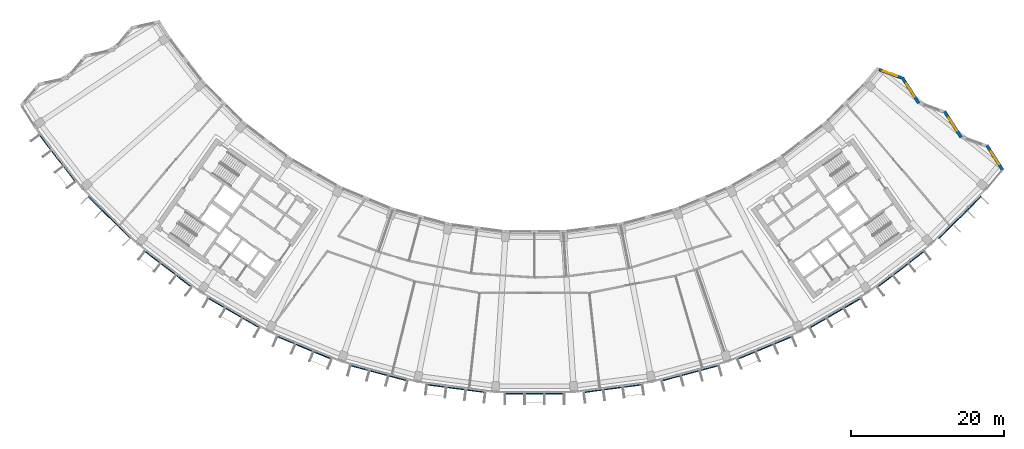
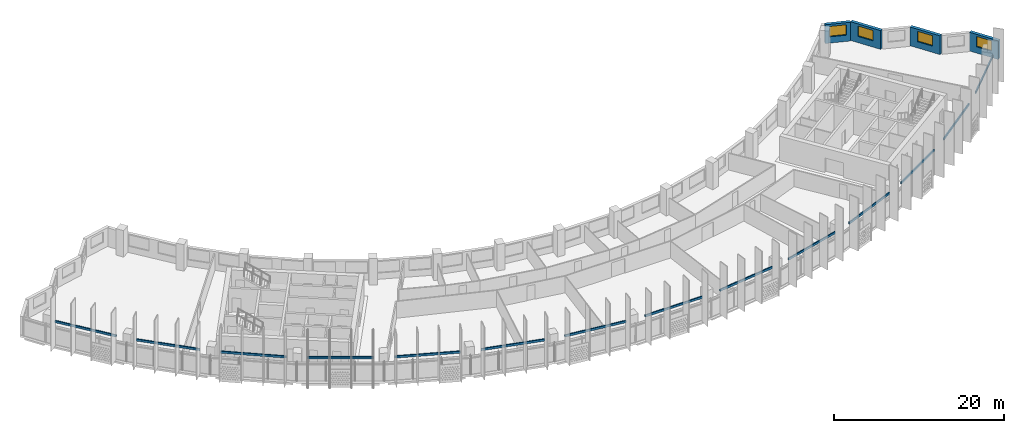
# One storey, part 8 of 28: 14 discrete accessories, 4 walls, 4 windows, 4 openings.
"""IFC4 building model written with IfcOpenShell, lengths in metres."""

from ifc_helpers import new_model, si_unit, direction, frame, frame_2d, origin, origin_2d, place, context, subcontext, project, spatial, rectangle, extrude, material, layer, layer_set, type_object, element, fill, save


model = new_model("IFC4")

# Units and contexts
model_context = context("Model", 3, precision=1e-05, world=origin(), true_north=direction((0.0, 1.0)))
body_context = subcontext(model_context, "Body", "Model", "MODEL_VIEW")
ifc_project = project(units=[si_unit("LENGTHUNIT", "METRE"), si_unit("AREAUNIT", "SQUARE_METRE"), si_unit("VOLUMEUNIT", "CUBIC_METRE"), si_unit("PLANEANGLEUNIT", "RADIAN"), si_unit("MASSUNIT", "GRAM", prefix="KILO")], contexts=[model_context])

# Site, building, storey
site_placement = place(None, origin())
site = spatial("IfcSite", under=ifc_project, at=site_placement, CompositionType="ELEMENT")
building_placement = place(site_placement, origin())
building = spatial("IfcBuilding", under=site, at=building_placement, Name="Qamariyya Broadcast Tower", CompositionType="ELEMENT")
storey_placement = place(building_placement, frame((0.0, 0.0, 241.699951171875)))
storey = spatial("IfcBuildingStorey", under=building, at=storey_placement, Name="L58", CompositionType="ELEMENT", Elevation=241.699951171875)

# Wall, opening, window
ifc_material_1 = material(Name="Terracotta", Category="masonry")
ifc_layer = layer(ifc_material_1, 0.39990234375)
ifc_layer_set = layer_set([ifc_layer], Name="Terracotta clad wall 400")
wall_type = type_object("IfcWallType", Name="Terracotta clad wall 400", PredefinedType="SOLIDWALL", material=ifc_layer_set)
wall_1_placement = place(storey_placement, frame((61.138427734375, -49.375244140625, 0.0), z_axis=(0.0, 0.0, 1.0), x_axis=(-0.538562491946, 0.842585569701, 0.0)))
wall_1 = element("IfcWall", 1, at=wall_1_placement, inside=storey, type_object=wall_type, Name="e-wl-L58-capE0", PredefinedType="SOLIDWALL", context=body_context, shape_type="SweptSolid", body=[
    extrude(rectangle(XDim=3.808837890625, YDim=0.39990234375, at=frame_2d((1.904296875, 0.0))), origin(), (0.0, 0.0, 1.0), 2.699951171875),
])
opening_1_placement = place(wall_1_placement, frame((0.904296875, 0.0, 0.89990234375)))
opening_1 = element("IfcOpeningElement", 2, at=opening_1_placement, cuts=wall_1, Name="Opening W4", PredefinedType="OPENING", context=body_context, shape_type="SweptSolid", body=[
    extrude(rectangle(XDim=2.0, YDim=1.5, at=frame_2d((1.0, 0.75))), frame((0.0, 0.2099609375, 0.0), z_axis=(0.0, -1.0, 0.0), x_axis=(1.0, 0.0, 0.0)), (0.0, 0.0, 1.0), 0.419921875),
])
ifc_material_2 = material(Name="Clear low-e double glazed unit in aluminium frame", Category="aluminium")
window_type = type_object("IfcWindowType", Name="Horn bay window 2000 x 1500", PartitioningType="SINGLE_PANEL", PredefinedType="WINDOW", material=ifc_material_2)
window_1_placement = place(opening_1_placement, origin())
window_1 = element("IfcWindow", 3, at=window_1_placement, inside=storey, type_object=window_type, Name="e-w-L58-capE0", OverallHeight=1.5, OverallWidth=2.0, PartitioningType="SINGLE_PANEL", PredefinedType="WINDOW", context=body_context, shape_type="SweptSolid", body=[
    extrude(rectangle(XDim=2.0, YDim=1.5, at=frame_2d((1.0, 0.75))), frame((0.0, 0.030029296875, 0.0), z_axis=(0.0, -1.0, 0.0), x_axis=(1.0, 0.0, 0.0)), (0.0, 0.0, 1.0), 0.06005859375),
])
fill(opening_1, window_1)

wall_2_placement = place(storey_placement, frame((55.705078125, -45.085693359375, 0.0), z_axis=(0.0, 0.0, 1.0), x_axis=(-0.53862900779, 0.842543050512, 0.0)))
wall_2 = element("IfcWall", 4, at=wall_2_placement, inside=storey, type_object=wall_type, Name="e-wl-L58-capE2", PredefinedType="SOLIDWALL", context=body_context, shape_type="SweptSolid", body=[
    extrude(rectangle(XDim=3.997314453125, YDim=0.39990234375, at=frame_2d((1.99853515625, 0.0))), origin(), (0.0, 0.0, 1.0), 2.699951171875),
])
opening_2_placement = place(wall_2_placement, frame((0.998779296875, 0.0, 0.89990234375)))
opening_2 = element("IfcOpeningElement", 5, at=opening_2_placement, cuts=wall_2, Name="Opening W4", PredefinedType="OPENING", context=body_context, shape_type="SweptSolid", body=[
    extrude(rectangle(XDim=2.0, YDim=1.5, at=frame_2d((1.0, 0.75))), frame((0.0, 0.2099609375, 0.0), z_axis=(0.0, -1.0, 0.0), x_axis=(1.0, 0.0, 0.0)), (0.0, 0.0, 1.0), 0.419921875),
])
window_2_placement = place(opening_2_placement, origin())
window_2 = element("IfcWindow", 6, at=window_2_placement, inside=storey, type_object=window_type, Name="e-w-L58-capE2", OverallHeight=1.5, OverallWidth=2.0, PartitioningType="SINGLE_PANEL", PredefinedType="WINDOW", context=body_context, shape_type="SweptSolid", body=[
    extrude(rectangle(XDim=2.0, YDim=1.5, at=frame_2d((1.0, 0.75))), frame((0.0, 0.030029296875, 0.0), z_axis=(0.0, -1.0, 0.0), x_axis=(1.0, 0.0, 0.0)), (0.0, 0.0, 1.0), 0.06005859375),
])
fill(opening_2, window_2)

wall_3_placement = place(storey_placement, frame((50.170654296875, -40.63818359375, 0.0), z_axis=(0.0, 0.0, 1.0), x_axis=(-0.538719252893, 0.842485350948, 0.0)))
wall_3 = element("IfcWall", 7, at=wall_3_placement, inside=storey, type_object=wall_type, Name="e-wl-L58-capE4", PredefinedType="SOLIDWALL", context=body_context, shape_type="SweptSolid", body=[
    extrude(rectangle(XDim=3.99853515625, YDim=0.39990234375, at=frame_2d((1.999267578125, 0.0))), origin(), (0.0, 0.0, 1.0), 2.699951171875),
])
opening_3_placement = place(wall_3_placement, frame((0.999267578125, 0.0, 0.89990234375)))
opening_3 = element("IfcOpeningElement", 8, at=opening_3_placement, cuts=wall_3, Name="Opening W4", PredefinedType="OPENING", context=body_context, shape_type="SweptSolid", body=[
    extrude(rectangle(XDim=2.0, YDim=1.5, at=frame_2d((1.0, 0.75))), frame((0.0, 0.2099609375, 0.0), z_axis=(0.0, -1.0, 0.0), x_axis=(1.0, 0.0, 0.0)), (0.0, 0.0, 1.0), 0.419921875),
])
window_3_placement = place(opening_3_placement, origin())
window_3 = element("IfcWindow", 9, at=window_3_placement, inside=storey, type_object=window_type, Name="e-w-L58-capE4", OverallHeight=1.5, OverallWidth=2.0, PartitioningType="SINGLE_PANEL", PredefinedType="WINDOW", context=body_context, shape_type="SweptSolid", body=[
    extrude(rectangle(XDim=2.0, YDim=1.5, at=frame_2d((1.0, 0.75))), frame((0.0, 0.030029296875, 0.0), z_axis=(0.0, -1.0, 0.0), x_axis=(1.0, 0.0, 0.0)), (0.0, 0.0, 1.0), 0.06005859375),
])
fill(opening_3, window_3)

wall_4_placement = place(storey_placement, frame((47.8779296875, -37.29638671875, 0.0), z_axis=(0.0, 0.0, 1.0), x_axis=(-0.939380563931, 0.342876298552, 0.0)))
wall_4 = element("IfcWall", 10, at=wall_4_placement, inside=storey, type_object=wall_type, Name="e-wl-L58-capE5", PredefinedType="SOLIDWALL", context=body_context, shape_type="SweptSolid", body=[
    extrude(rectangle(XDim=3.06103515625, YDim=0.39990234375, at=frame_2d((1.530517578125, 0.0))), origin(), (0.0, 0.0, 1.0), 2.699951171875),
])
opening_4_placement = place(wall_4_placement, frame((0.530517578125, 0.0, 0.89990234375)))
opening_4 = element("IfcOpeningElement", 11, at=opening_4_placement, cuts=wall_4, Name="Opening W4", PredefinedType="OPENING", context=body_context, shape_type="SweptSolid", body=[
    extrude(rectangle(XDim=2.0, YDim=1.5, at=frame_2d((1.0, 0.75))), frame((0.0, 0.2099609375, 0.0), z_axis=(0.0, -1.0, 0.0), x_axis=(1.0, 0.0, 0.0)), (0.0, 0.0, 1.0), 0.419921875),
])
window_4_placement = place(opening_4_placement, origin())
window_4 = element("IfcWindow", 12, at=window_4_placement, inside=storey, type_object=window_type, Name="e-w-L58-capE5", OverallHeight=1.5, OverallWidth=2.0, PartitioningType="SINGLE_PANEL", PredefinedType="WINDOW", context=body_context, shape_type="SweptSolid", body=[
    extrude(rectangle(XDim=2.0, YDim=1.5, at=frame_2d((1.0, 0.75))), frame((0.0, 0.030029296875, 0.0), z_axis=(0.0, -1.0, 0.0), x_axis=(1.0, 0.0, 0.0)), (0.0, 0.0, 1.0), 0.06005859375),
])
fill(opening_4, window_4)

# Discrete accessories
ifc_material_3 = material(Name="Stainless steel 316", Category="steel")
discrete_accessory_type = type_object("IfcDiscreteAccessoryType", Name="Slab edge fixing angle, stainless steel", PredefinedType="BRACKET", material=ifc_material_3)
for number, where, z_axis, x_axis, name in (
    (13, (-62.3232421875, -47.822265625, 3.2998046875), (0.0, 0.0, 1.0), (0.608761429009, -0.793353340291, 0.0), "e-br-L58-01-0"),
    (14, (-55.5478515625, -55.5478515625, 3.2998046875), (0.0, 0.0, 1.0), (0.707106781187, -0.707106781187, 0.0), "e-br-L58-02-0"),
    (15, (-47.822265625, -62.3232421875, 3.2998046875), (0.0, 0.0, 1.0), (0.793353340291, -0.608761429009, 0.0), "e-br-L58-03-0"),
    (16, (-39.2783203125, -68.031982421875, 3.2998046875), (0.0, 0.0, 1.0), (0.866025403784, -0.5, 0.0), "e-br-L58-04-0"),
    (17, (-30.062255859375, -72.576904296875, 3.2998046875), (0.0, 0.0, 1.0), (0.923879532511, -0.382683432365, 0.0), "e-br-L58-05-0"),
    (18, (-20.33203125, -75.8798828125, 3.2998046875), (0.0, 0.0, 1.0), (0.965925826289, -0.258819045103, 0.0), "e-br-L58-06-0"),
    (19, (-10.253662109375, -77.884521484375, 3.2998046875), (0.0, 0.0, 1.0), (0.991444861374, -0.13052619222, 0.0), "e-br-L58-07-0"),
    (20, (0.0, -78.556640625, 3.2998046875), (0.0, 0.0, 1.0), (1.0, 0.0, 0.0), "e-br-L58-08-0"),
    (21, (10.253662109375, -77.884521484375, 3.2998046875), (0.0, 0.0, 1.0), (0.991444861374, 0.13052619222, 0.0), "e-br-L58-09-0"),
    (22, (20.33203125, -75.8798828125, 3.2998046875), (0.0, 0.0, 1.0), (0.965925826289, 0.258819045103, 0.0), "e-br-L58-10-0"),
    (23, (30.062255859375, -72.576904296875, 3.2998046875), (0.0, 0.0, 1.0), (0.923879532511, 0.382683432365, 0.0), "e-br-L58-11-0"),
    (24, (39.2783203125, -68.031982421875, 3.2998046875), (0.0, 0.0, 1.0), (0.866025403784, 0.5, 0.0), "e-br-L58-12-0"),
    (25, (47.822265625, -62.3232421875, 3.2998046875), (0.0, 0.0, 1.0), (0.793353340291, 0.608761429009, 0.0), "e-br-L58-13-0"),
    (26, (55.5478515625, -55.5478515625, 3.2998046875), (0.0, 0.0, 1.0), (0.707106781187, 0.707106781187, 0.0), "e-br-L58-14-0"),
):
    element("IfcDiscreteAccessory", number, at=place(storey_placement, frame(where, z_axis=z_axis, x_axis=x_axis)), inside=storey, type_object=discrete_accessory_type, Name=name, PredefinedType="BRACKET", context=body_context, shape_type="SweptSolid", body=[
        extrude(rectangle(XDim=7.81591796875, YDim=0.14990234375, at=origin_2d()), origin(), (0.0, 0.0, 1.0), 0.300048828125),
    ])

save(model, "model.ifc")
